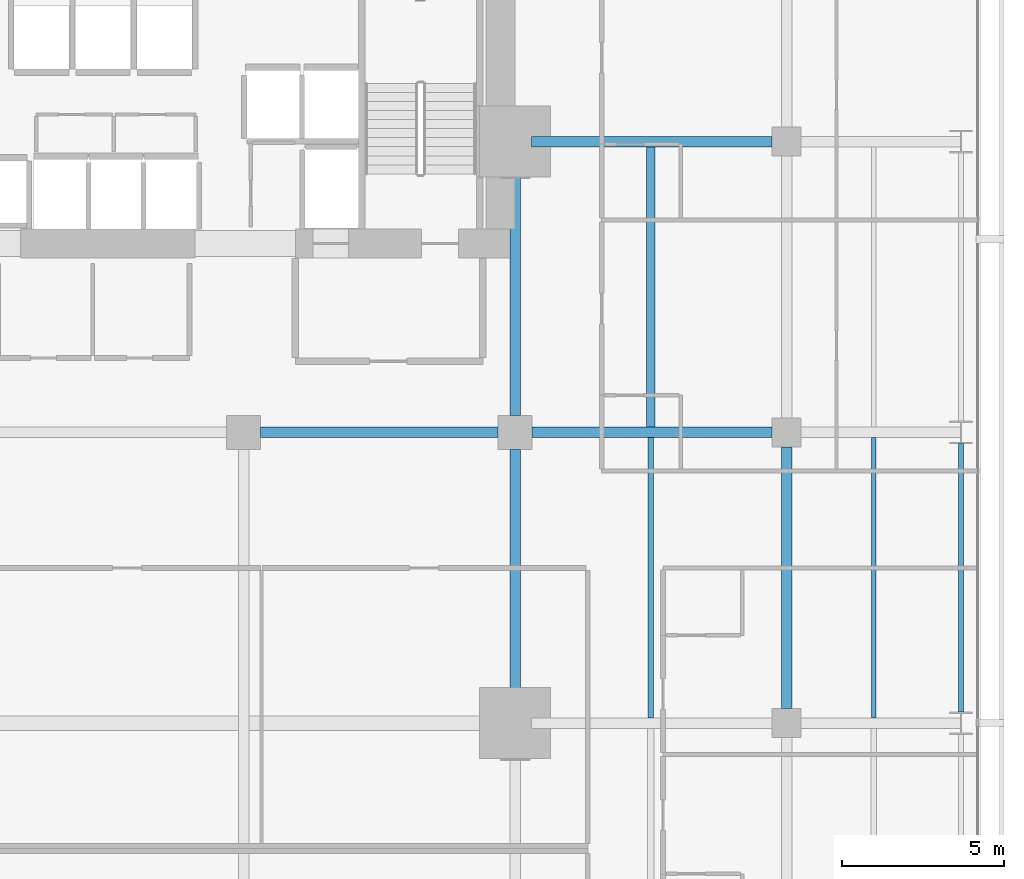
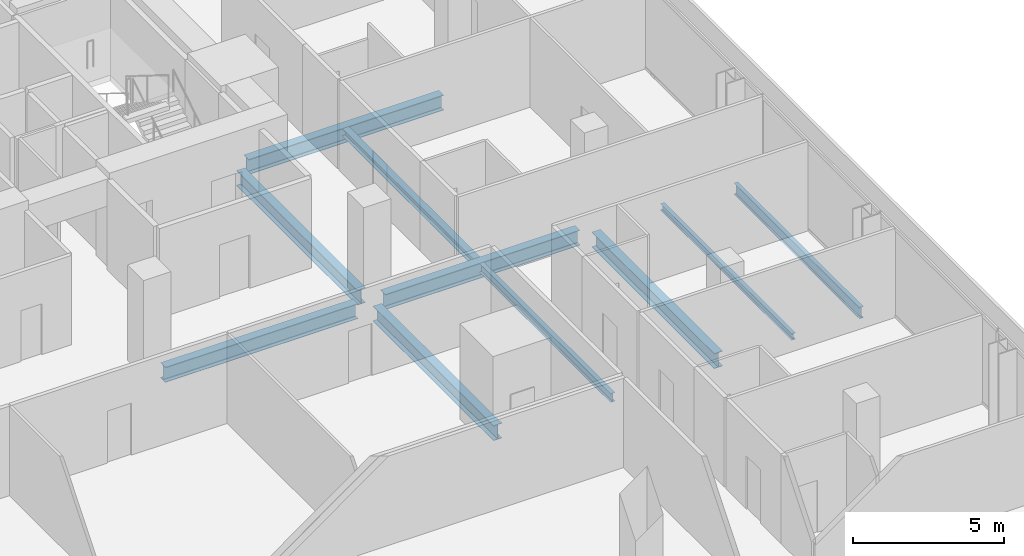
# One storey, part 27 of 40: 10 beams.
"""IFC4 building model written with IfcOpenShell, lengths in metres."""

from ifc_helpers import new_model, si_unit, direction, frame, origin, origin_2d, place, context, subcontext, project, spatial, i_section, extrude, material, material_profile, profile_set, type_object, element, save


model = new_model("IFC4")

# Units and contexts
model_context = context("Model", 3, precision=1e-05, world=origin(), true_north=direction((0.0, 1.0)))
body_context = subcontext(model_context, "Body", "Model", "MODEL_VIEW")
ifc_project = project(units=[si_unit("LENGTHUNIT", "METRE"), si_unit("AREAUNIT", "SQUARE_METRE"), si_unit("VOLUMEUNIT", "CUBIC_METRE"), si_unit("PLANEANGLEUNIT", "RADIAN"), si_unit("MASSUNIT", "GRAM", prefix="KILO")], contexts=[model_context])

# Site, building, storey
site_placement = place(None, origin())
site = spatial("IfcSite", under=ifc_project, at=site_placement, CompositionType="ELEMENT")
building_placement = place(site_placement, origin())
building = spatial("IfcBuilding", under=site, at=building_placement, Name="Maruvema Waterfront Hotel and Observation Tower", CompositionType="ELEMENT")
storey_placement = place(building_placement, frame((0.0, 0.0, 96.25)))
storey = spatial("IfcBuildingStorey", under=building, at=storey_placement, Name="L23", CompositionType="ELEMENT", Elevation=96.25)

# Beams
ifc_material_1 = material(Name="Steel ASTM A572 Grade 50", Category="steel")
ifc_material_profile_1 = material_profile(ifc_material_1, i_section(OverallWidth=0.153076171875, OverallDepth=0.455078125, WebThickness=0.008056640625, FlangeThickness=0.01318359375, FilletRadius=0.014892578125, at=origin_2d()), Name="W460x60.0")
ifc_profile_set_1 = profile_set([ifc_material_profile_1], Name="Steel ASTM A572 Grade 50")
beam_type_1 = type_object("IfcBeamType", Name="Perimeter Spandrel Beam W460x60.0", PredefinedType="SPANDREL", material=ifc_profile_set_1)
beam_1_placement = place(storey_placement, frame((64.199951171875, 27.35009765625, -0.467529296875), z_axis=(0.0, 1.0, 0.0), x_axis=(-1.0, 0.0, 0.0)))
element("IfcBeam", 1, at=beam_1_placement, inside=storey, type_object=beam_type_1, Name="L23 Floor Girder NS-35", PredefinedType="SPANDREL", context=body_context, shape_type="SweptSolid", body=[
    extrude(i_section(OverallWidth=0.153076171875, OverallDepth=0.455078125, WebThickness=0.008056640625, FlangeThickness=0.01318359375, FilletRadius=0.014892578125, at=origin_2d()), origin(), (0.0, 0.0, 1.0), 8.2998046875),
])
ifc_material_2 = material(Name="Steel ASTM A572 Grade 50", Category="steel")
ifc_material_profile_2 = material_profile(ifc_material_2, i_section(OverallWidth=0.323974609375, OverallDepth=0.611083984375, WebThickness=0.0126953125, FlangeThickness=0.01904296875, FilletRadius=0.01806640625, at=origin_2d()), Name="W610x155.0")
ifc_profile_set_2 = profile_set([ifc_material_profile_2], Name="Steel ASTM A572 Grade 50")
beam_type_2 = type_object("IfcBeamType", Name="Primary Floor Girder W610x155.0", PredefinedType="BEAM", material=ifc_profile_set_2)
beam_2_placement = place(storey_placement, frame((42.52490234375, 36.0, -0.54541015625), z_axis=(1.0, 0.0, 0.0), x_axis=(0.0, 1.0, 0.0)))
element("IfcBeam", 2, at=beam_2_placement, inside=storey, type_object=beam_type_2, Name="L23 Floor Girder EW-29", PredefinedType="BEAM", context=body_context, shape_type="SweptSolid", body=[
    extrude(i_section(OverallWidth=0.323974609375, OverallDepth=0.611083984375, WebThickness=0.0126953125, FlangeThickness=0.01904296875, FilletRadius=0.01806640625, at=origin_2d()), origin(), (0.0, 0.0, 1.0), 7.35009765625),
])
beam_3_placement = place(storey_placement, frame((50.925048828125, 36.0, -0.54541015625), z_axis=(1.0, 0.0, 0.0), x_axis=(0.0, 1.0, 0.0)))
element("IfcBeam", 3, at=beam_3_placement, inside=storey, type_object=beam_type_2, Name="L23 Floor Girder EW-30", PredefinedType="BEAM", context=body_context, shape_type="SweptSolid", body=[
    extrude(i_section(OverallWidth=0.323974609375, OverallDepth=0.611083984375, WebThickness=0.0126953125, FlangeThickness=0.01904296875, FilletRadius=0.01806640625, at=origin_2d()), origin(), (0.0, 0.0, 1.0), 7.425048828125),
])
beam_4_placement = place(storey_placement, frame((50.89990234375, 45.0, -0.54541015625), z_axis=(1.0, 0.0, 0.0), x_axis=(0.0, 1.0, 0.0)))
element("IfcBeam", 4, at=beam_4_placement, inside=storey, type_object=beam_type_2, Name="L23 Floor Girder EW-34", PredefinedType="BEAM", context=body_context, shape_type="SweptSolid", body=[
    extrude(i_section(OverallWidth=0.323974609375, OverallDepth=0.611083984375, WebThickness=0.0126953125, FlangeThickness=0.01904296875, FilletRadius=0.01806640625, at=origin_2d()), origin(), (0.0, 0.0, 1.0), 7.4501953125),
])
for number, where, z_axis, x_axis, name in (
    (5, (50.39990234375, 27.5, -0.54541015625), (0.0, 1.0, 0.0), (-1.0, 0.0, 0.0), "L23 Floor Girder NS-25"),
    (6, (50.39990234375, 36.52490234375, -0.54541015625), (0.0, 1.0, 0.0), (-1.0, 0.0, 0.0), "L23 Floor Girder NS-26"),
):
    element("IfcBeam", number, at=place(storey_placement, frame(where, z_axis=z_axis, x_axis=x_axis)), inside=storey, type_object=beam_type_2, Name=name, PredefinedType="BEAM", context=body_context, shape_type="SweptSolid", body=[
        extrude(i_section(OverallWidth=0.323974609375, OverallDepth=0.611083984375, WebThickness=0.0126953125, FlangeThickness=0.01904296875, FilletRadius=0.01806640625, at=origin_2d()), origin(), (0.0, 0.0, 1.0), 7.97509765625),
    ])
beam_5_placement = place(storey_placement, frame((58.800048828125, 27.449951171875, -0.54541015625), z_axis=(0.0, 1.0, 0.0), x_axis=(-1.0, 0.0, 0.0)))
element("IfcBeam", 7, at=beam_5_placement, inside=storey, type_object=beam_type_2, Name="L23 Floor Girder NS-30", PredefinedType="BEAM", context=body_context, shape_type="SweptSolid", body=[
    extrude(i_section(OverallWidth=0.323974609375, OverallDepth=0.611083984375, WebThickness=0.0126953125, FlangeThickness=0.01904296875, FilletRadius=0.01806640625, at=origin_2d()), origin(), (0.0, 0.0, 1.0), 8.10009765625),
])
ifc_material_3 = material(Name="Steel ASTM A572 Grade 50", Category="steel")
ifc_material_profile_3 = material_profile(ifc_material_3, i_section(OverallWidth=0.14794921875, OverallDepth=0.26611328125, WebThickness=0.007568359375, FlangeThickness=0.012939453125, FilletRadius=0.012939453125, at=origin_2d()), Name="W250x44.8")
ifc_profile_set_3 = profile_set([ifc_material_profile_3], Name="Steel ASTM A572 Grade 50")
beam_type_3 = type_object("IfcBeamType", Name="Secondary Floor Joist W250x44.8", PredefinedType="JOIST", material=ifc_profile_set_3)
beam_6_placement = place(storey_placement, frame((61.5, 27.162109375, -0.373046875), z_axis=(0.0, 1.0, 0.0), x_axis=(-1.0, 0.0, 0.0)))
element("IfcBeam", 8, at=beam_6_placement, inside=storey, type_object=beam_type_3, Name="L23 Secondary Floor Joist JS-23", PredefinedType="JOIST", context=body_context, shape_type="SweptSolid", body=[
    extrude(i_section(OverallWidth=0.14794921875, OverallDepth=0.26611328125, WebThickness=0.007568359375, FlangeThickness=0.012939453125, FilletRadius=0.012939453125, at=origin_2d()), origin(), (0.0, 0.0, 1.0), 8.67578125),
])
ifc_material_4 = material(Name="Steel ASTM A572 Grade 50", Category="steel")
ifc_material_profile_4 = material_profile(ifc_material_4, i_section(OverallWidth=0.25390625, OverallDepth=0.305908203125, WebThickness=0.0087890625, FlangeThickness=0.0146484375, FilletRadius=0.014892578125, at=origin_2d()), Name="W310x79.0")
ifc_profile_set_4 = profile_set([ifc_material_profile_4], Name="Steel ASTM A572 Grade 50")
beam_type_4 = type_object("IfcBeamType", Name="Secondary Floor Joist W310x79.0", PredefinedType="JOIST", material=ifc_profile_set_4)
beam_7_placement = place(storey_placement, frame((54.60009765625, 36.162109375, -0.39306640625), z_axis=(0.0, 1.0, 0.0), x_axis=(-1.0, 0.0, 0.0)))
element("IfcBeam", 9, at=beam_7_placement, inside=storey, type_object=beam_type_4, Name="L23 Secondary Floor Joist JS-20", PredefinedType="JOIST", context=body_context, shape_type="SweptSolid", body=[
    extrude(i_section(OverallWidth=0.25390625, OverallDepth=0.305908203125, WebThickness=0.0087890625, FlangeThickness=0.0146484375, FilletRadius=0.014892578125, at=origin_2d()), origin(), (0.0, 0.0, 1.0), 8.67578125),
])
ifc_material_5 = material(Name="Steel ASTM A572 Grade 50", Category="steel")
ifc_material_profile_5 = material_profile(ifc_material_5, i_section(OverallWidth=0.1708984375, OverallDepth=0.35498046875, WebThickness=0.007080078125, FlangeThickness=0.01171875, FilletRadius=0.014892578125, at=origin_2d()), Name="W360x51.0")
ifc_profile_set_5 = profile_set([ifc_material_profile_5], Name="Steel ASTM A572 Grade 50")
beam_type_5 = type_object("IfcBeamType", Name="Secondary Floor Joist W360x51.0", PredefinedType="JOIST", material=ifc_profile_set_5)
beam_8_placement = place(storey_placement, frame((54.60009765625, 27.162109375, -0.41748046875), z_axis=(0.0, 1.0, 0.0), x_axis=(-1.0, 0.0, 0.0)))
element("IfcBeam", 10, at=beam_8_placement, inside=storey, type_object=beam_type_5, Name="L23 Secondary Floor Joist JS-19", PredefinedType="JOIST", context=body_context, shape_type="SweptSolid", body=[
    extrude(i_section(OverallWidth=0.1708984375, OverallDepth=0.35498046875, WebThickness=0.007080078125, FlangeThickness=0.01171875, FilletRadius=0.014892578125, at=origin_2d()), origin(), (0.0, 0.0, 1.0), 8.67578125),
])

save(model, "model.ifc")
